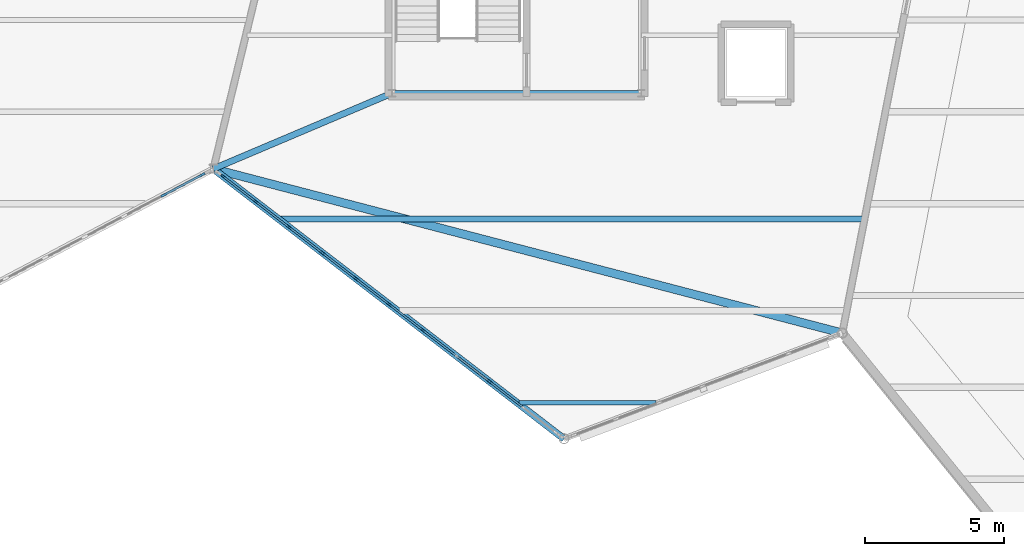
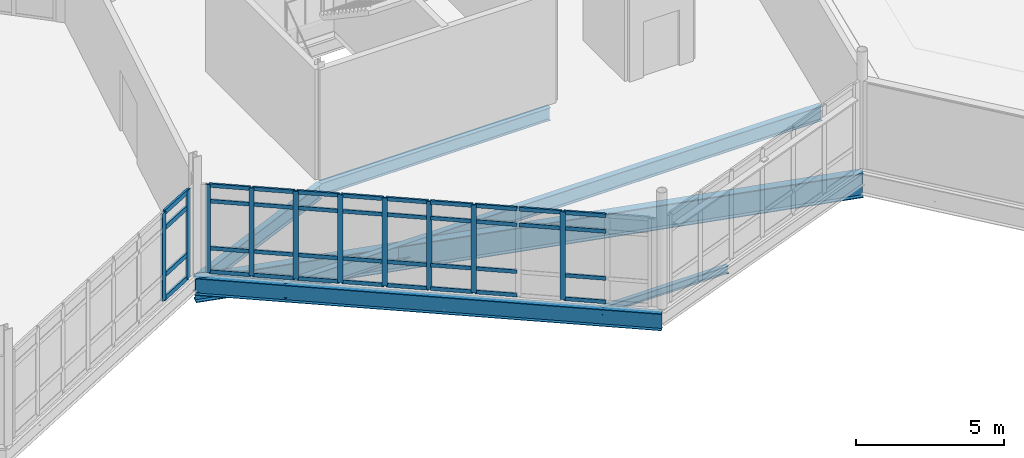
# One storey, part 32 of 114: 48 members, 6 beams, 2 elements without a shape of their own.
"""IFC4 building model written with IfcOpenShell, lengths in metres."""

from ifc_helpers import new_model, si_unit, direction, frame, origin, origin_2d, place, context, subcontext, project, spatial, rectangle, i_section, extrude, material, material_profile, profile_set, type_object, element, aggregate, save


model = new_model("IFC4")

# Units and contexts
model_context = context("Model", 3, precision=1e-05, world=origin(), true_north=direction((0.0, 1.0)))
body_context = subcontext(model_context, "Body", "Model", "MODEL_VIEW")
ifc_project = project(units=[si_unit("LENGTHUNIT", "METRE"), si_unit("AREAUNIT", "SQUARE_METRE"), si_unit("VOLUMEUNIT", "CUBIC_METRE"), si_unit("PLANEANGLEUNIT", "RADIAN"), si_unit("MASSUNIT", "GRAM", prefix="KILO")], contexts=[model_context])

# Site, building, storey
site_placement = place(None, origin())
site = spatial("IfcSite", under=ifc_project, at=site_placement, CompositionType="ELEMENT")
building_placement = place(site_placement, origin())
building = spatial("IfcBuilding", under=site, at=building_placement, Name="Tameran Prism Museum", CompositionType="ELEMENT")
storey_placement = place(building_placement, frame((0.0, 0.0, 10.199951171875)))
storey = spatial("IfcBuildingStorey", under=building, at=storey_placement, Name="L02", CompositionType="ELEMENT", Elevation=10.199951171875)

# Beams
ifc_material_1 = material(Name="Steel Grade 300PLUS (300 MPa)", Category="steel")
ifc_material_profile_1 = material_profile(ifc_material_1, i_section(OverallWidth=0.166015625, OverallDepth=0.306884765625, WebThickness=0.006591796875, FlangeThickness=0.01171875, FilletRadius=0.011474609375, at=origin_2d()))
ifc_profile_set_1 = profile_set([ifc_material_profile_1])
beam_type_1 = type_object("IfcBeamType", Name="BM-J310A", PredefinedType="JOIST", material=ifc_profile_set_1)
beam_1_placement = place(storey_placement, frame((109.076904296875, 19.800048828125, -0.37353515625), z_axis=(1.0, 0.0, 0.0), x_axis=(0.0, 1.0, 0.0)))
element("IfcBeam", 1, at=beam_1_placement, inside=storey, type_object=beam_type_1, Name="Floor Beam BM-0872", PredefinedType="JOIST", context=body_context, shape_type="SweptSolid", body=[
    extrude(i_section(OverallWidth=0.166015625, OverallDepth=0.306884765625, WebThickness=0.006591796875, FlangeThickness=0.01171875, FilletRadius=0.011474609375, at=origin_2d()), origin(), (0.0, 0.0, 1.0), 4.93115234375),
])
ifc_material_2 = material(Name="Steel Grade 300PLUS (300 MPa)", Category="steel")
ifc_material_profile_2 = material_profile(ifc_material_2, i_section(OverallWidth=0.208984375, OverallDepth=0.528076171875, WebThickness=0.009521484375, FlangeThickness=0.01318359375, FilletRadius=0.013916015625, at=origin_2d()))
ifc_profile_set_2 = profile_set([ifc_material_profile_2])
beam_type_2 = type_object("IfcBeamType", Name="BM-SP530B", PredefinedType="SPANDREL", material=ifc_profile_set_2)
beam_2_placement = place(storey_placement, frame((104.52001953125, 30.919921875, -0.50390625), z_axis=(1.0, 0.0, 0.0), x_axis=(0.0, 1.0, 0.0)))
element("IfcBeam", 2, at=beam_2_placement, inside=storey, type_object=beam_type_2, Name="Core Ring Beam CTB-0777", PredefinedType="SPANDREL", context=body_context, shape_type="SweptSolid", body=[
    extrude(i_section(OverallWidth=0.208984375, OverallDepth=0.528076171875, WebThickness=0.009521484375, FlangeThickness=0.01318359375, FilletRadius=0.013916015625, at=origin_2d()), origin(), (0.0, 0.0, 1.0), 8.9599609375),
])
ifc_material_3 = material(Name="Steel Grade 350 (350 MPa)", Category="steel")
ifc_material_profile_3 = material_profile(ifc_material_3, i_section(OverallWidth=0.25, OverallDepth=0.699951171875, WebThickness=0.010009765625, FlangeThickness=0.02001953125, at=origin_2d()))
ifc_profile_set_3 = profile_set([ifc_material_profile_3])
beam_type_3 = type_object("IfcBeamType", Name="BM-SP700", PredefinedType="SPANDREL", material=ifc_profile_set_3)
beam_3_placement = place(storey_placement, frame((98.10009765625, 28.199951171875, -0.570068359375), z_axis=(0.792388202323, -0.610017161086, 0.0), x_axis=(0.610017161086, 0.792388202323, 0.0)))
element("IfcBeam", 3, at=beam_3_placement, inside=storey, type_object=beam_type_3, Name="Perimeter Spandrel SP-0694", PredefinedType="SPANDREL", context=body_context, shape_type="SweptSolid", body=[
    extrude(i_section(OverallWidth=0.25, OverallDepth=0.699951171875, WebThickness=0.010009765625, FlangeThickness=0.02001953125, at=origin_2d()), origin(), (0.0, 0.0, 1.0), 15.901123046875),
])
ifc_material_4 = material(Name="Steel Grade 300PLUS (300 MPa)", Category="steel")
ifc_material_profile_4 = material_profile(ifc_material_4, i_section(OverallWidth=0.22900390625, OverallDepth=0.612060546875, WebThickness=0.011962890625, FlangeThickness=0.01953125, FilletRadius=0.013916015625, at=origin_2d()))
ifc_profile_set_4 = profile_set([ifc_material_profile_4])
beam_type_4 = type_object("IfcBeamType", Name="BM-UB610A", PredefinedType="BEAM", material=ifc_profile_set_4)
beam_4_placement = place(storey_placement, frame((104.52001953125, 30.919921875, -0.56005859375), z_axis=(-0.920768988768, -0.390108278973, 0.0), x_axis=(0.390108278973, -0.920768988768, 0.0)))
element("IfcBeam", 4, at=beam_4_placement, inside=storey, type_object=beam_type_4, Name="Frame Tie Girder FG-1419", PredefinedType="BEAM", context=body_context, shape_type="SweptSolid", body=[
    extrude(i_section(OverallWidth=0.22900390625, OverallDepth=0.612060546875, WebThickness=0.011962890625, FlangeThickness=0.01953125, FilletRadius=0.013916015625, at=origin_2d()), origin(), (0.0, 0.0, 1.0), 6.972412109375),
])
ifc_material_5 = material(Name="Steel Grade 300PLUS (300 MPa)", Category="steel")
ifc_material_profile_5 = material_profile(ifc_material_5, i_section(OverallWidth=0.22802734375, OverallDepth=0.60693359375, WebThickness=0.01123046875, FlangeThickness=0.017333984375, FilletRadius=0.013916015625, at=origin_2d()))
ifc_profile_set_5 = profile_set([ifc_material_profile_5])
beam_type_5 = type_object("IfcBeamType", Name="BM-UB610B", PredefinedType="BEAM", material=ifc_profile_set_5)
beam_5_placement = place(storey_placement, frame((100.50390625, 26.39990234375, -0.5234375), z_axis=(1.0, 0.0, 0.0), x_axis=(0.0, 1.0, 0.0)))
element("IfcBeam", 5, at=beam_5_placement, inside=storey, type_object=beam_type_5, Name="Floor Beam BM-0874", PredefinedType="BEAM", context=body_context, shape_type="SweptSolid", body=[
    extrude(i_section(OverallWidth=0.22802734375, OverallDepth=0.60693359375, WebThickness=0.01123046875, FlangeThickness=0.017333984375, FilletRadius=0.013916015625, at=origin_2d()), origin(), (0.0, 0.0, 1.0), 20.9560546875),
])
ifc_material_6 = material(Name="Steel Grade 350 (350 MPa)", Category="steel")
ifc_material_profile_6 = material_profile(ifc_material_6, i_section(OverallWidth=0.300048828125, OverallDepth=1.0, WebThickness=0.01611328125, FlangeThickness=0.031982421875, at=origin_2d()))
ifc_profile_set_6 = profile_set([ifc_material_profile_6])
beam_type_6 = type_object("IfcBeamType", Name="BM-WB1000", PredefinedType="BEAM", material=ifc_profile_set_6)
beam_6_placement = place(storey_placement, frame((98.10009765625, 28.199951171875, -0.719970703125), z_axis=(0.967572413362, -0.252593794265, 0.0), x_axis=(0.252593794265, 0.967572413362, 0.0)))
element("IfcBeam", 6, at=beam_6_placement, inside=storey, type_object=beam_type_6, Name="Primary Vertex Girder PG-0698", PredefinedType="BEAM", context=body_context, shape_type="SweptSolid", body=[
    extrude(i_section(OverallWidth=0.300048828125, OverallDepth=1.0, WebThickness=0.01611328125, FlangeThickness=0.031982421875, at=origin_2d()), origin(), (0.0, 0.0, 1.0), 23.357177734375),
])

# Curtain wall, members
ifc_material_7 = material(Name="Anodised Aluminium 6063-T6 and Cyclone Solar Glass", Category="aluminium")
curtain_wall_type_1 = type_object("IfcCurtainWallType", Name="CW-FAC-1514x362", PredefinedType="USERDEFINED", material=ifc_material_7)
curtain_wall_1_placement = place(storey_placement, origin())
curtain_wall_1 = element("IfcCurtainWall", 7, at=curtain_wall_1_placement, inside=storey, type_object=curtain_wall_type_1, Name="Unitised Curtain Wall CW-116", ObjectType="UNITISED CURTAIN WALL", PredefinedType="USERDEFINED")
ifc_material_8 = material(Name="Anodised Aluminium Alloy 6063-T6", Category="aluminium")
ifc_material_profile_7 = material_profile(ifc_material_8, rectangle(XDim=0.070068359375, YDim=0.179931640625, at=origin_2d()))
ifc_profile_set_7 = profile_set([ifc_material_profile_7])
member_type_1 = type_object("IfcMemberType", Name="CW-MUL-B", PredefinedType="MULLION", material=ifc_profile_set_7)
member_1_placement = place(storey_placement, frame((108.023193359375, 20.560302734375, 0.0), z_axis=(0.0, 0.0, 1.0), x_axis=(-0.610001143702, -0.79240053299, 0.0)))
member_1 = element("IfcMember", 8, at=member_1_placement, type_object=member_type_1, Name="CW-116 mullion 3", PredefinedType="MULLION", context=body_context, shape_type="SweptSolid", body=[
    extrude(rectangle(XDim=0.070068359375, YDim=0.179931640625, at=origin_2d()), origin(), (0.0, 0.0, 1.0), 3.6201171875),
])
member_2_placement = place(storey_placement, frame((105.623291015625, 22.40771484375, 0.0), z_axis=(0.0, 0.0, 1.0), x_axis=(-0.610001143702, -0.79240053299, 0.0)))
member_2 = element("IfcMember", 9, at=member_2_placement, type_object=member_type_1, Name="CW-116 mullion 5", PredefinedType="MULLION", context=body_context, shape_type="SweptSolid", body=[
    extrude(rectangle(XDim=0.070068359375, YDim=0.179931640625, at=origin_2d()), origin(), (0.0, 0.0, 1.0), 3.6201171875),
])
member_3_placement = place(storey_placement, frame((104.423583984375, 23.33154296875, 0.0), z_axis=(0.0, 0.0, 1.0), x_axis=(-0.610001143702, -0.79240053299, 0.0)))
member_3 = element("IfcMember", 10, at=member_3_placement, type_object=member_type_1, Name="CW-116 mullion 6", PredefinedType="MULLION", context=body_context, shape_type="SweptSolid", body=[
    extrude(rectangle(XDim=0.070068359375, YDim=0.179931640625, at=origin_2d()), origin(), (0.0, 0.0, 1.0), 3.6201171875),
])
member_4_placement = place(storey_placement, frame((103.2236328125, 24.255126953125, 0.0), z_axis=(0.0, 0.0, 1.0), x_axis=(-0.610001143702, -0.79240053299, 0.0)))
member_4 = element("IfcMember", 11, at=member_4_placement, type_object=member_type_1, Name="CW-116 mullion 7", PredefinedType="MULLION", context=body_context, shape_type="SweptSolid", body=[
    extrude(rectangle(XDim=0.070068359375, YDim=0.179931640625, at=origin_2d()), origin(), (0.0, 0.0, 1.0), 3.6201171875),
])
member_5_placement = place(storey_placement, frame((102.023681640625, 25.178955078125, 0.0), z_axis=(0.0, 0.0, 1.0), x_axis=(-0.610001143702, -0.79240053299, 0.0)))
member_5 = element("IfcMember", 12, at=member_5_placement, type_object=member_type_1, Name="CW-116 mullion 8", PredefinedType="MULLION", context=body_context, shape_type="SweptSolid", body=[
    extrude(rectangle(XDim=0.070068359375, YDim=0.179931640625, at=origin_2d()), origin(), (0.0, 0.0, 1.0), 3.6201171875),
])
member_6_placement = place(storey_placement, frame((100.82373046875, 26.1025390625, 0.0), z_axis=(0.0, 0.0, 1.0), x_axis=(-0.610001143702, -0.79240053299, 0.0)))
member_6 = element("IfcMember", 13, at=member_6_placement, type_object=member_type_1, Name="CW-116 mullion 9", PredefinedType="MULLION", context=body_context, shape_type="SweptSolid", body=[
    extrude(rectangle(XDim=0.070068359375, YDim=0.179931640625, at=origin_2d()), origin(), (0.0, 0.0, 1.0), 3.6201171875),
])
member_7_placement = place(storey_placement, frame((99.623779296875, 27.0263671875, 0.0), z_axis=(0.0, 0.0, 1.0), x_axis=(-0.610001143702, -0.79240053299, 0.0)))
member_7 = element("IfcMember", 14, at=member_7_placement, type_object=member_type_1, Name="CW-116 mullion 10", PredefinedType="MULLION", context=body_context, shape_type="SweptSolid", body=[
    extrude(rectangle(XDim=0.070068359375, YDim=0.179931640625, at=origin_2d()), origin(), (0.0, 0.0, 1.0), 3.6201171875),
])
member_8_placement = place(storey_placement, frame((98.45166015625, 27.9287109375, 0.0), z_axis=(0.0, 0.0, 1.0), x_axis=(-0.610001143702, -0.79240053299, 0.0)))
member_8 = element("IfcMember", 15, at=member_8_placement, type_object=member_type_1, Name="CW-116 mullion 11", PredefinedType="MULLION", context=body_context, shape_type="SweptSolid", body=[
    extrude(rectangle(XDim=0.070068359375, YDim=0.179931640625, at=origin_2d()), origin(), (0.0, 0.0, 1.0), 3.6201171875),
])

ifc_material_9 = material(Name="Anodised Aluminium 6063-T6 and Cyclone Solar Glass", Category="aluminium")
curtain_wall_type_2 = type_object("IfcCurtainWallType", Name="CW-FAC-1123x362", PredefinedType="USERDEFINED", material=ifc_material_9)
curtain_wall_2_placement = place(storey_placement, origin())
curtain_wall_2 = element("IfcCurtainWall", 16, at=curtain_wall_2_placement, inside=storey, type_object=curtain_wall_type_2, Name="Unitised Curtain Wall CW-110", ObjectType="UNITISED CURTAIN WALL", PredefinedType="USERDEFINED")
ifc_material_10 = material(Name="Anodised Aluminium Alloy 6063-T6", Category="aluminium")
ifc_material_profile_8 = material_profile(ifc_material_10, rectangle(XDim=0.080078125, YDim=0.219970703125, at=origin_2d()))
ifc_profile_set_8 = profile_set([ifc_material_profile_8])
member_type_2 = type_object("IfcMemberType", Name="CW-MUL-D", PredefinedType="MULLION", material=ifc_profile_set_8)
member_9_placement = place(storey_placement, frame((97.70263671875, 27.990234375, 0.0), z_axis=(0.0, 0.0, 1.0), x_axis=(0.467155185438, -0.884175340483, 0.0)))
member_9 = element("IfcMember", 17, at=member_9_placement, type_object=member_type_2, Name="CW-110 mullion 1", PredefinedType="MULLION", context=body_context, shape_type="SweptSolid", body=[
    extrude(rectangle(XDim=0.080078125, YDim=0.219970703125, at=origin_2d()), origin(), (0.0, 0.0, 1.0), 3.6201171875),
])
member_10_placement = place(storey_placement, frame((96.319580078125, 27.259521484375, 0.0), z_axis=(0.0, 0.0, 1.0), x_axis=(0.467155185438, -0.884175340483, 0.0)))
member_10 = element("IfcMember", 18, at=member_10_placement, type_object=member_type_2, Name="CW-110 mullion 2", PredefinedType="MULLION", context=body_context, shape_type="SweptSolid", body=[
    extrude(rectangle(XDim=0.080078125, YDim=0.219970703125, at=origin_2d()), origin(), (0.0, 0.0, 1.0), 3.6201171875),
])

# Member
ifc_material_11 = material(Name="Anodised Aluminium Alloy 6063-T6", Category="aluminium")
ifc_material_profile_9 = material_profile(ifc_material_11, rectangle(XDim=0.070068359375, YDim=0.155029296875, at=origin_2d()))
ifc_profile_set_9 = profile_set([ifc_material_profile_9])
member_type_3 = type_object("IfcMemberType", Name="CW-TRN-B", PredefinedType="USERDEFINED", material=ifc_profile_set_9)
member_11_placement = place(storey_placement, frame((109.1953125, 19.657958984375, 0.03515625), z_axis=(-0.792328533216, 0.610094661058, 0.0), x_axis=(-0.610094661058, -0.792328533216, 0.0)))
member_11 = element("IfcMember", 19, at=member_11_placement, type_object=member_type_3, Name="CW-116 transom 2.1", ObjectType="TRANSOM", PredefinedType="USERDEFINED", context=body_context, shape_type="SweptSolid", body=[
    extrude(rectangle(XDim=0.070068359375, YDim=0.155029296875, at=origin_2d()), origin(), (0.0, 0.0, 1.0), 1.444091796875),
])

member_12_placement = place(storey_placement, frame((109.1953125, 19.657958984375, 1.0), z_axis=(-0.792328533216, 0.610094661058, 0.0), x_axis=(-0.610094661058, -0.792328533216, 0.0)))
member_12 = element("IfcMember", 20, at=member_12_placement, type_object=member_type_3, Name="CW-116 transom 2.2", ObjectType="TRANSOM", PredefinedType="USERDEFINED", context=body_context, shape_type="SweptSolid", body=[
    extrude(rectangle(XDim=0.070068359375, YDim=0.155029296875, at=origin_2d()), origin(), (0.0, 0.0, 1.0), 1.444091796875),
])

member_13_placement = place(storey_placement, frame((109.1953125, 19.657958984375, 2.93994140625), z_axis=(-0.792328533216, 0.610094661058, 0.0), x_axis=(-0.610094661058, -0.792328533216, 0.0)))
member_13 = element("IfcMember", 21, at=member_13_placement, type_object=member_type_3, Name="CW-116 transom 2.3", ObjectType="TRANSOM", PredefinedType="USERDEFINED", context=body_context, shape_type="SweptSolid", body=[
    extrude(rectangle(XDim=0.070068359375, YDim=0.155029296875, at=origin_2d()), origin(), (0.0, 0.0, 1.0), 1.444091796875),
])

member_14_placement = place(storey_placement, frame((109.1953125, 19.657958984375, 3.5849609375), z_axis=(-0.792328533216, 0.610094661058, 0.0), x_axis=(-0.610094661058, -0.792328533216, 0.0)))
member_14 = element("IfcMember", 22, at=member_14_placement, type_object=member_type_3, Name="CW-116 transom 2.4", ObjectType="TRANSOM", PredefinedType="USERDEFINED", context=body_context, shape_type="SweptSolid", body=[
    extrude(rectangle(XDim=0.070068359375, YDim=0.155029296875, at=origin_2d()), origin(), (0.0, 0.0, 1.0), 1.444091796875),
])

member_15_placement = place(storey_placement, frame((107.995361328125, 20.581787109375, 2.93994140625), z_axis=(-0.79241025162, 0.609988518849, 0.0), x_axis=(-0.609988518849, -0.79241025162, 0.0)))
member_15 = element("IfcMember", 23, at=member_15_placement, type_object=member_type_3, Name="CW-116 transom 3.3", ObjectType="TRANSOM", PredefinedType="USERDEFINED", context=body_context, shape_type="SweptSolid", body=[
    extrude(rectangle(XDim=0.070068359375, YDim=0.155029296875, at=origin_2d()), origin(), (0.0, 0.0, 1.0), 1.444091796875),
])

member_16_placement = place(storey_placement, frame((107.995361328125, 20.581787109375, 3.5849609375), z_axis=(-0.79241025162, 0.609988518849, 0.0), x_axis=(-0.609988518849, -0.79241025162, 0.0)))
member_16 = element("IfcMember", 24, at=member_16_placement, type_object=member_type_3, Name="CW-116 transom 3.4", ObjectType="TRANSOM", PredefinedType="USERDEFINED", context=body_context, shape_type="SweptSolid", body=[
    extrude(rectangle(XDim=0.070068359375, YDim=0.155029296875, at=origin_2d()), origin(), (0.0, 0.0, 1.0), 1.444091796875),
])

member_17_placement = place(storey_placement, frame((106.795654296875, 21.50537109375, 0.03515625), z_axis=(-0.792391442906, 0.610012951674, 0.0), x_axis=(-0.610012951674, -0.792391442906, 0.0)))
member_17 = element("IfcMember", 25, at=member_17_placement, type_object=member_type_3, Name="CW-116 transom 4.1", ObjectType="TRANSOM", PredefinedType="USERDEFINED", context=body_context, shape_type="SweptSolid", body=[
    extrude(rectangle(XDim=0.070068359375, YDim=0.155029296875, at=origin_2d()), origin(), (0.0, 0.0, 1.0), 1.4443359375),
])

member_18_placement = place(storey_placement, frame((106.795654296875, 21.50537109375, 1.0), z_axis=(-0.792391442906, 0.610012951674, 0.0), x_axis=(-0.610012951674, -0.792391442906, 0.0)))
member_18 = element("IfcMember", 26, at=member_18_placement, type_object=member_type_3, Name="CW-116 transom 4.2", ObjectType="TRANSOM", PredefinedType="USERDEFINED", context=body_context, shape_type="SweptSolid", body=[
    extrude(rectangle(XDim=0.070068359375, YDim=0.155029296875, at=origin_2d()), origin(), (0.0, 0.0, 1.0), 1.4443359375),
])

member_19_placement = place(storey_placement, frame((106.795654296875, 21.50537109375, 2.93994140625), z_axis=(-0.792391442906, 0.610012951674, 0.0), x_axis=(-0.610012951674, -0.792391442906, 0.0)))
member_19 = element("IfcMember", 27, at=member_19_placement, type_object=member_type_3, Name="CW-116 transom 4.3", ObjectType="TRANSOM", PredefinedType="USERDEFINED", context=body_context, shape_type="SweptSolid", body=[
    extrude(rectangle(XDim=0.070068359375, YDim=0.155029296875, at=origin_2d()), origin(), (0.0, 0.0, 1.0), 1.4443359375),
])

member_20_placement = place(storey_placement, frame((106.795654296875, 21.50537109375, 3.5849609375), z_axis=(-0.792391442906, 0.610012951674, 0.0), x_axis=(-0.610012951674, -0.792391442906, 0.0)))
member_20 = element("IfcMember", 28, at=member_20_placement, type_object=member_type_3, Name="CW-116 transom 4.4", ObjectType="TRANSOM", PredefinedType="USERDEFINED", context=body_context, shape_type="SweptSolid", body=[
    extrude(rectangle(XDim=0.070068359375, YDim=0.155029296875, at=origin_2d()), origin(), (0.0, 0.0, 1.0), 1.4443359375),
])

member_21_placement = place(storey_placement, frame((105.595703125, 22.42919921875, 0.03515625), z_axis=(-0.792473145905, 0.609906806831, 0.0), x_axis=(-0.609906806831, -0.792473145905, 0.0)))
member_21 = element("IfcMember", 29, at=member_21_placement, type_object=member_type_3, Name="CW-116 transom 5.1", ObjectType="TRANSOM", PredefinedType="USERDEFINED", context=body_context, shape_type="SweptSolid", body=[
    extrude(rectangle(XDim=0.070068359375, YDim=0.155029296875, at=origin_2d()), origin(), (0.0, 0.0, 1.0), 1.4443359375),
])

member_22_placement = place(storey_placement, frame((105.595703125, 22.42919921875, 1.0), z_axis=(-0.792473145905, 0.609906806831, 0.0), x_axis=(-0.609906806831, -0.792473145905, 0.0)))
member_22 = element("IfcMember", 30, at=member_22_placement, type_object=member_type_3, Name="CW-116 transom 5.2", ObjectType="TRANSOM", PredefinedType="USERDEFINED", context=body_context, shape_type="SweptSolid", body=[
    extrude(rectangle(XDim=0.070068359375, YDim=0.155029296875, at=origin_2d()), origin(), (0.0, 0.0, 1.0), 1.4443359375),
])

member_23_placement = place(storey_placement, frame((105.595703125, 22.42919921875, 2.93994140625), z_axis=(-0.792473145905, 0.609906806831, 0.0), x_axis=(-0.609906806831, -0.792473145905, 0.0)))
member_23 = element("IfcMember", 31, at=member_23_placement, type_object=member_type_3, Name="CW-116 transom 5.3", ObjectType="TRANSOM", PredefinedType="USERDEFINED", context=body_context, shape_type="SweptSolid", body=[
    extrude(rectangle(XDim=0.070068359375, YDim=0.155029296875, at=origin_2d()), origin(), (0.0, 0.0, 1.0), 1.4443359375),
])

member_24_placement = place(storey_placement, frame((105.595703125, 22.42919921875, 3.5849609375), z_axis=(-0.792473145905, 0.609906806831, 0.0), x_axis=(-0.609906806831, -0.792473145905, 0.0)))
member_24 = element("IfcMember", 32, at=member_24_placement, type_object=member_type_3, Name="CW-116 transom 5.4", ObjectType="TRANSOM", PredefinedType="USERDEFINED", context=body_context, shape_type="SweptSolid", body=[
    extrude(rectangle(XDim=0.070068359375, YDim=0.155029296875, at=origin_2d()), origin(), (0.0, 0.0, 1.0), 1.4443359375),
])

member_25_placement = place(storey_placement, frame((104.395751953125, 23.352783203125, 0.03515625), z_axis=(-0.792391442906, 0.610012951674, 0.0), x_axis=(-0.610012951674, -0.792391442906, 0.0)))
member_25 = element("IfcMember", 33, at=member_25_placement, type_object=member_type_3, Name="CW-116 transom 6.1", ObjectType="TRANSOM", PredefinedType="USERDEFINED", context=body_context, shape_type="SweptSolid", body=[
    extrude(rectangle(XDim=0.070068359375, YDim=0.155029296875, at=origin_2d()), origin(), (0.0, 0.0, 1.0), 1.4443359375),
])

member_26_placement = place(storey_placement, frame((104.395751953125, 23.352783203125, 1.0), z_axis=(-0.792391442906, 0.610012951674, 0.0), x_axis=(-0.610012951674, -0.792391442906, 0.0)))
member_26 = element("IfcMember", 34, at=member_26_placement, type_object=member_type_3, Name="CW-116 transom 6.2", ObjectType="TRANSOM", PredefinedType="USERDEFINED", context=body_context, shape_type="SweptSolid", body=[
    extrude(rectangle(XDim=0.070068359375, YDim=0.155029296875, at=origin_2d()), origin(), (0.0, 0.0, 1.0), 1.4443359375),
])

member_27_placement = place(storey_placement, frame((104.395751953125, 23.352783203125, 2.93994140625), z_axis=(-0.792391442906, 0.610012951674, 0.0), x_axis=(-0.610012951674, -0.792391442906, 0.0)))
member_27 = element("IfcMember", 35, at=member_27_placement, type_object=member_type_3, Name="CW-116 transom 6.3", ObjectType="TRANSOM", PredefinedType="USERDEFINED", context=body_context, shape_type="SweptSolid", body=[
    extrude(rectangle(XDim=0.070068359375, YDim=0.155029296875, at=origin_2d()), origin(), (0.0, 0.0, 1.0), 1.4443359375),
])

member_28_placement = place(storey_placement, frame((104.395751953125, 23.352783203125, 3.5849609375), z_axis=(-0.792391442906, 0.610012951674, 0.0), x_axis=(-0.610012951674, -0.792391442906, 0.0)))
member_28 = element("IfcMember", 36, at=member_28_placement, type_object=member_type_3, Name="CW-116 transom 6.4", ObjectType="TRANSOM", PredefinedType="USERDEFINED", context=body_context, shape_type="SweptSolid", body=[
    extrude(rectangle(XDim=0.070068359375, YDim=0.155029296875, at=origin_2d()), origin(), (0.0, 0.0, 1.0), 1.4443359375),
])

member_29_placement = place(storey_placement, frame((103.19580078125, 24.276611328125, 0.03515625), z_axis=(-0.79241025162, 0.609988518849, 0.0), x_axis=(-0.609988518849, -0.79241025162, 0.0)))
member_29 = element("IfcMember", 37, at=member_29_placement, type_object=member_type_3, Name="CW-116 transom 7.1", ObjectType="TRANSOM", PredefinedType="USERDEFINED", context=body_context, shape_type="SweptSolid", body=[
    extrude(rectangle(XDim=0.070068359375, YDim=0.155029296875, at=origin_2d()), origin(), (0.0, 0.0, 1.0), 1.444091796875),
])

member_30_placement = place(storey_placement, frame((103.19580078125, 24.276611328125, 1.0), z_axis=(-0.79241025162, 0.609988518849, 0.0), x_axis=(-0.609988518849, -0.79241025162, 0.0)))
member_30 = element("IfcMember", 38, at=member_30_placement, type_object=member_type_3, Name="CW-116 transom 7.2", ObjectType="TRANSOM", PredefinedType="USERDEFINED", context=body_context, shape_type="SweptSolid", body=[
    extrude(rectangle(XDim=0.070068359375, YDim=0.155029296875, at=origin_2d()), origin(), (0.0, 0.0, 1.0), 1.444091796875),
])

member_31_placement = place(storey_placement, frame((103.19580078125, 24.276611328125, 2.93994140625), z_axis=(-0.79241025162, 0.609988518849, 0.0), x_axis=(-0.609988518849, -0.79241025162, 0.0)))
member_31 = element("IfcMember", 39, at=member_31_placement, type_object=member_type_3, Name="CW-116 transom 7.3", ObjectType="TRANSOM", PredefinedType="USERDEFINED", context=body_context, shape_type="SweptSolid", body=[
    extrude(rectangle(XDim=0.070068359375, YDim=0.155029296875, at=origin_2d()), origin(), (0.0, 0.0, 1.0), 1.444091796875),
])

member_32_placement = place(storey_placement, frame((103.19580078125, 24.276611328125, 3.5849609375), z_axis=(-0.79241025162, 0.609988518849, 0.0), x_axis=(-0.609988518849, -0.79241025162, 0.0)))
member_32 = element("IfcMember", 40, at=member_32_placement, type_object=member_type_3, Name="CW-116 transom 7.4", ObjectType="TRANSOM", PredefinedType="USERDEFINED", context=body_context, shape_type="SweptSolid", body=[
    extrude(rectangle(XDim=0.070068359375, YDim=0.155029296875, at=origin_2d()), origin(), (0.0, 0.0, 1.0), 1.444091796875),
])

member_33_placement = place(storey_placement, frame((101.995849609375, 25.2001953125, 0.03515625), z_axis=(-0.792328533216, 0.610094661058, 0.0), x_axis=(-0.610094661058, -0.792328533216, 0.0)))
member_33 = element("IfcMember", 41, at=member_33_placement, type_object=member_type_3, Name="CW-116 transom 8.1", ObjectType="TRANSOM", PredefinedType="USERDEFINED", context=body_context, shape_type="SweptSolid", body=[
    extrude(rectangle(XDim=0.070068359375, YDim=0.155029296875, at=origin_2d()), origin(), (0.0, 0.0, 1.0), 1.444091796875),
])

member_34_placement = place(storey_placement, frame((101.995849609375, 25.2001953125, 1.0), z_axis=(-0.792328533216, 0.610094661058, 0.0), x_axis=(-0.610094661058, -0.792328533216, 0.0)))
member_34 = element("IfcMember", 42, at=member_34_placement, type_object=member_type_3, Name="CW-116 transom 8.2", ObjectType="TRANSOM", PredefinedType="USERDEFINED", context=body_context, shape_type="SweptSolid", body=[
    extrude(rectangle(XDim=0.070068359375, YDim=0.155029296875, at=origin_2d()), origin(), (0.0, 0.0, 1.0), 1.444091796875),
])

member_35_placement = place(storey_placement, frame((101.995849609375, 25.2001953125, 2.93994140625), z_axis=(-0.792328533216, 0.610094661058, 0.0), x_axis=(-0.610094661058, -0.792328533216, 0.0)))
member_35 = element("IfcMember", 43, at=member_35_placement, type_object=member_type_3, Name="CW-116 transom 8.3", ObjectType="TRANSOM", PredefinedType="USERDEFINED", context=body_context, shape_type="SweptSolid", body=[
    extrude(rectangle(XDim=0.070068359375, YDim=0.155029296875, at=origin_2d()), origin(), (0.0, 0.0, 1.0), 1.444091796875),
])

member_36_placement = place(storey_placement, frame((101.995849609375, 25.2001953125, 3.5849609375), z_axis=(-0.792328533216, 0.610094661058, 0.0), x_axis=(-0.610094661058, -0.792328533216, 0.0)))
member_36 = element("IfcMember", 44, at=member_36_placement, type_object=member_type_3, Name="CW-116 transom 8.4", ObjectType="TRANSOM", PredefinedType="USERDEFINED", context=body_context, shape_type="SweptSolid", body=[
    extrude(rectangle(XDim=0.070068359375, YDim=0.155029296875, at=origin_2d()), origin(), (0.0, 0.0, 1.0), 1.444091796875),
])

member_37_placement = place(storey_placement, frame((100.796142578125, 26.1240234375, 0.03515625), z_axis=(-0.792473145905, 0.609906806831, 0.0), x_axis=(-0.609906806831, -0.792473145905, 0.0)))
member_37 = element("IfcMember", 45, at=member_37_placement, type_object=member_type_3, Name="CW-116 transom 9.1", ObjectType="TRANSOM", PredefinedType="USERDEFINED", context=body_context, shape_type="SweptSolid", body=[
    extrude(rectangle(XDim=0.070068359375, YDim=0.155029296875, at=origin_2d()), origin(), (0.0, 0.0, 1.0), 1.4443359375),
])

member_38_placement = place(storey_placement, frame((100.796142578125, 26.1240234375, 1.0), z_axis=(-0.792473145905, 0.609906806831, 0.0), x_axis=(-0.609906806831, -0.792473145905, 0.0)))
member_38 = element("IfcMember", 46, at=member_38_placement, type_object=member_type_3, Name="CW-116 transom 9.2", ObjectType="TRANSOM", PredefinedType="USERDEFINED", context=body_context, shape_type="SweptSolid", body=[
    extrude(rectangle(XDim=0.070068359375, YDim=0.155029296875, at=origin_2d()), origin(), (0.0, 0.0, 1.0), 1.4443359375),
])

member_39_placement = place(storey_placement, frame((100.796142578125, 26.1240234375, 2.93994140625), z_axis=(-0.792473145905, 0.609906806831, 0.0), x_axis=(-0.609906806831, -0.792473145905, 0.0)))
member_39 = element("IfcMember", 47, at=member_39_placement, type_object=member_type_3, Name="CW-116 transom 9.3", ObjectType="TRANSOM", PredefinedType="USERDEFINED", context=body_context, shape_type="SweptSolid", body=[
    extrude(rectangle(XDim=0.070068359375, YDim=0.155029296875, at=origin_2d()), origin(), (0.0, 0.0, 1.0), 1.4443359375),
])

member_40_placement = place(storey_placement, frame((100.796142578125, 26.1240234375, 3.5849609375), z_axis=(-0.792473145905, 0.609906806831, 0.0), x_axis=(-0.609906806831, -0.792473145905, 0.0)))
member_40 = element("IfcMember", 48, at=member_40_placement, type_object=member_type_3, Name="CW-116 transom 9.4", ObjectType="TRANSOM", PredefinedType="USERDEFINED", context=body_context, shape_type="SweptSolid", body=[
    extrude(rectangle(XDim=0.070068359375, YDim=0.155029296875, at=origin_2d()), origin(), (0.0, 0.0, 1.0), 1.4443359375),
])

member_41_placement = place(storey_placement, frame((99.59619140625, 27.047607421875, 0.03515625), z_axis=(-0.792411412919, 0.609987010251, 0.0), x_axis=(-0.609987010251, -0.792411412919, 0.0)))
member_41 = element("IfcMember", 49, at=member_41_placement, type_object=member_type_3, Name="CW-116 transom 10.1", ObjectType="TRANSOM", PredefinedType="USERDEFINED", context=body_context, shape_type="SweptSolid", body=[
    extrude(rectangle(XDim=0.070068359375, YDim=0.155029296875, at=origin_2d()), origin(), (0.0, 0.0, 1.0), 1.4091796875),
])

member_42_placement = place(storey_placement, frame((99.59619140625, 27.047607421875, 1.0), z_axis=(-0.792411412919, 0.609987010251, 0.0), x_axis=(-0.609987010251, -0.792411412919, 0.0)))
member_42 = element("IfcMember", 50, at=member_42_placement, type_object=member_type_3, Name="CW-116 transom 10.2", ObjectType="TRANSOM", PredefinedType="USERDEFINED", context=body_context, shape_type="SweptSolid", body=[
    extrude(rectangle(XDim=0.070068359375, YDim=0.155029296875, at=origin_2d()), origin(), (0.0, 0.0, 1.0), 1.4091796875),
])

member_43_placement = place(storey_placement, frame((99.59619140625, 27.047607421875, 2.93994140625), z_axis=(-0.792411412919, 0.609987010251, 0.0), x_axis=(-0.609987010251, -0.792411412919, 0.0)))
member_43 = element("IfcMember", 51, at=member_43_placement, type_object=member_type_3, Name="CW-116 transom 10.3", ObjectType="TRANSOM", PredefinedType="USERDEFINED", context=body_context, shape_type="SweptSolid", body=[
    extrude(rectangle(XDim=0.070068359375, YDim=0.155029296875, at=origin_2d()), origin(), (0.0, 0.0, 1.0), 1.4091796875),
])

member_44_placement = place(storey_placement, frame((99.59619140625, 27.047607421875, 3.5849609375), z_axis=(-0.792411412919, 0.609987010251, 0.0), x_axis=(-0.609987010251, -0.792411412919, 0.0)))
member_44 = element("IfcMember", 52, at=member_44_placement, type_object=member_type_3, Name="CW-116 transom 10.4", ObjectType="TRANSOM", PredefinedType="USERDEFINED", context=body_context, shape_type="SweptSolid", body=[
    extrude(rectangle(XDim=0.070068359375, YDim=0.155029296875, at=origin_2d()), origin(), (0.0, 0.0, 1.0), 1.4091796875),
])

aggregate(curtain_wall_1, [member_1, member_2, member_3, member_4, member_5, member_6, member_7, member_8, member_11, member_12, member_13, member_14, member_15, member_16, member_17, member_18, member_19, member_20, member_21, member_22, member_23, member_24, member_25, member_26, member_27, member_28, member_29, member_30, member_31, member_32, member_33, member_34, member_35, member_36, member_37, member_38, member_39, member_40, member_41, member_42, member_43, member_44])

ifc_material_12 = material(Name="Anodised Aluminium Alloy 6063-T6", Category="aluminium")
ifc_material_profile_10 = material_profile(ifc_material_12, rectangle(XDim=0.080078125, YDim=0.195068359375, at=origin_2d()))
ifc_profile_set_10 = profile_set([ifc_material_profile_10])
member_type_4 = type_object("IfcMemberType", Name="CW-TRN-D", PredefinedType="USERDEFINED", material=ifc_profile_set_10)
member_45_placement = place(storey_placement, frame((97.667236328125, 27.9716796875, 0.0400390625), z_axis=(-0.884167744573, -0.467169561784, 0.0), x_axis=(0.467169561784, -0.884167744573, 0.0)))
member_45 = element("IfcMember", 53, at=member_45_placement, type_object=member_type_4, Name="CW-110 transom 1.1", ObjectType="TRANSOM", PredefinedType="USERDEFINED", context=body_context, shape_type="SweptSolid", body=[
    extrude(rectangle(XDim=0.080078125, YDim=0.195068359375, at=origin_2d()), origin(), (0.0, 0.0, 1.0), 1.484130859375),
])

member_46_placement = place(storey_placement, frame((97.667236328125, 27.9716796875, 1.0), z_axis=(-0.884167744573, -0.467169561784, 0.0), x_axis=(0.467169561784, -0.884167744573, 0.0)))
member_46 = element("IfcMember", 54, at=member_46_placement, type_object=member_type_4, Name="CW-110 transom 1.2", ObjectType="TRANSOM", PredefinedType="USERDEFINED", context=body_context, shape_type="SweptSolid", body=[
    extrude(rectangle(XDim=0.080078125, YDim=0.195068359375, at=origin_2d()), origin(), (0.0, 0.0, 1.0), 1.484130859375),
])

member_47_placement = place(storey_placement, frame((97.667236328125, 27.9716796875, 2.93994140625), z_axis=(-0.884167744573, -0.467169561784, 0.0), x_axis=(0.467169561784, -0.884167744573, 0.0)))
member_47 = element("IfcMember", 55, at=member_47_placement, type_object=member_type_4, Name="CW-110 transom 1.3", ObjectType="TRANSOM", PredefinedType="USERDEFINED", context=body_context, shape_type="SweptSolid", body=[
    extrude(rectangle(XDim=0.080078125, YDim=0.195068359375, at=origin_2d()), origin(), (0.0, 0.0, 1.0), 1.484130859375),
])

member_48_placement = place(storey_placement, frame((97.667236328125, 27.9716796875, 3.580078125), z_axis=(-0.884167744573, -0.467169561784, 0.0), x_axis=(0.467169561784, -0.884167744573, 0.0)))
member_48 = element("IfcMember", 56, at=member_48_placement, type_object=member_type_4, Name="CW-110 transom 1.4", ObjectType="TRANSOM", PredefinedType="USERDEFINED", context=body_context, shape_type="SweptSolid", body=[
    extrude(rectangle(XDim=0.080078125, YDim=0.195068359375, at=origin_2d()), origin(), (0.0, 0.0, 1.0), 1.484130859375),
])

aggregate(curtain_wall_2, [member_9, member_10, member_45, member_46, member_47, member_48])

save(model, "model.ifc")
